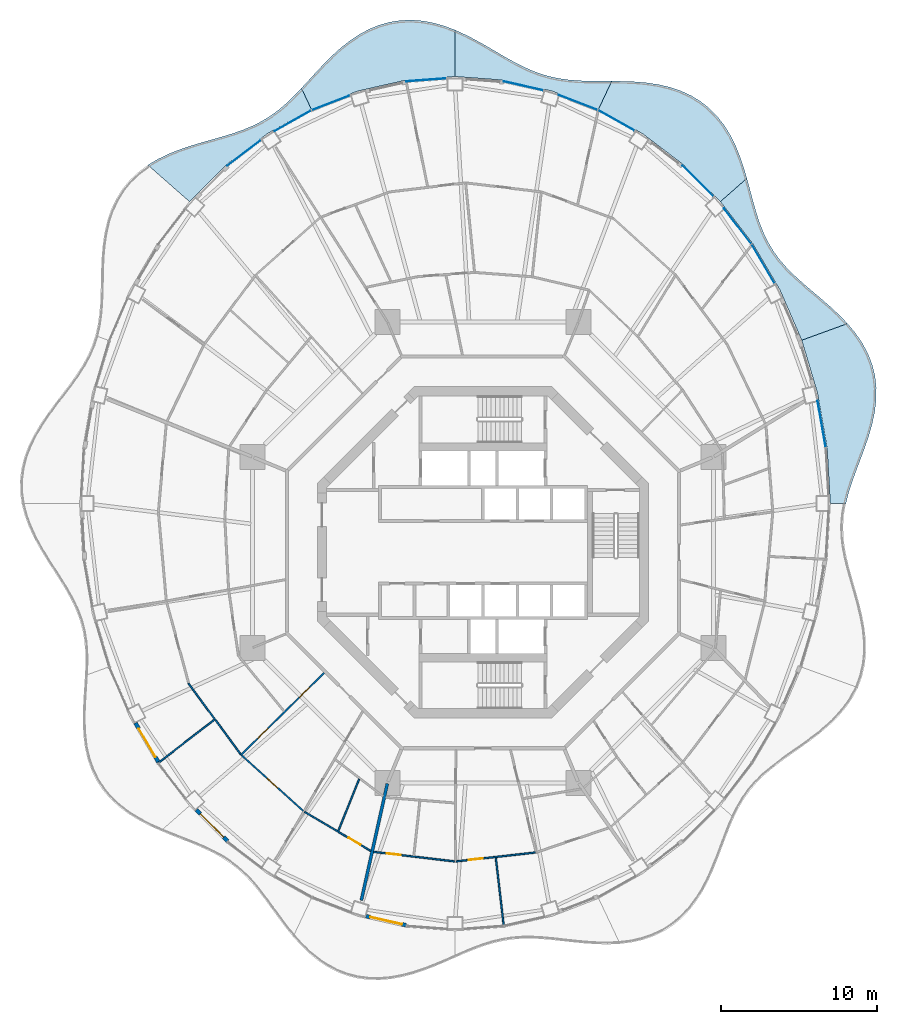
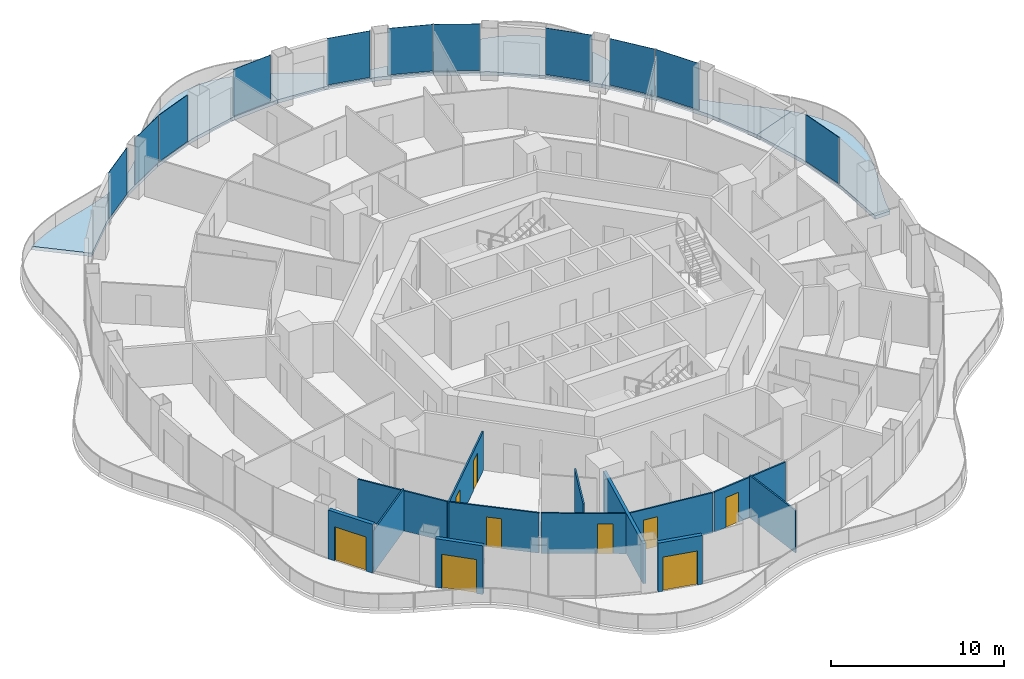
# One storey, part 9 of 18: 13 walls, 11 plates, 9 doors, 6 slabs, 9 openings, 11 elements without a shape of their own.
"""IFC4 building model written with IfcOpenShell, lengths in metres."""

import ifcopenshell
import ifcopenshell.guid

model = None  # the IFC model being written
_history = None  # IfcOwnerHistory: only IFC2X3 demands one
_inside = {}  # id of a spatial element -> (the spatial element, [elements in it])
_under = {}  # id of a project, library or spatial element -> (it, [spatial elements below it])
_declared = {}  # id of a project -> (the project, [libraries it declares])
_typed = {}  # id of a type object -> (the type object, [elements of that type])
_made_of = {}  # id of a material, layer set ... -> (it, [elements and type objects made of it])


def new_model(schema):
    """Start an empty IFC model of exactly this schema.

    Asked for "IFC4X3", IfcOpenShell would pick the latest addendum, in which some entities
    have other attributes; the version numbers below select the first issue.
    IFC2X3 requires an IfcOwnerHistory on every rooted entity: one is made here for all.
    """
    global model, _history
    if schema == "IFC4X3":
        model = ifcopenshell.file(schema_version=(4, 3, 0, 0))
    else:
        model = ifcopenshell.file(schema=schema)
    _inside.clear()
    _under.clear()
    _declared.clear()
    _typed.clear()
    _made_of.clear()
    _history = None
    if model.schema == "IFC2X3":
        org = make("IfcOrganization", Name="unknown")
        user = make(
            "IfcPersonAndOrganization",
            ThePerson=make("IfcPerson", FamilyName="unknown"),
            TheOrganization=org,
        )
        app = make(
            "IfcApplication",
            ApplicationDeveloper=org,
            Version="unknown",
            ApplicationFullName="unknown",
            ApplicationIdentifier="unknown",
        )
        _history = make(
            "IfcOwnerHistory",
            OwningUser=user,
            OwningApplication=app,
            ChangeAction="ADDED",
            CreationDate=0,
        )
    return model


def make(cls, **values):
    """One entity of the class cls with the attributes given. An attribute that is None is left unset."""
    return model.create_entity(
        cls, **{name: value for name, value in values.items() if value is not None}
    )


def rooted(cls, **values):
    """An entity with a GlobalId (a new one), such as an element, a storey or a relation."""
    return make(cls, GlobalId=ifcopenshell.guid.new(), OwnerHistory=_history, **values)


def si_unit(unit_type, name, prefix=None):
    """IfcSIUnit, for example si_unit("LENGTHUNIT", "METRE", prefix="MILLI")."""
    return make("IfcSIUnit", UnitType=unit_type, Prefix=prefix, Name=name)


def assignment(units):
    """IfcUnitAssignment: the units of a project."""
    return None if units is None else make("IfcUnitAssignment", Units=units)


def point(xyz):
    """IfcCartesianPoint."""
    return None if xyz is None else make("IfcCartesianPoint", Coordinates=xyz)


def direction(xyz):
    """IfcDirection."""
    return None if xyz is None else make("IfcDirection", DirectionRatios=xyz)


def frame(location, z_axis=None, x_axis=None):
    """IfcAxis2Placement3D, a coordinate frame: its origin and axes. An axis left out is left unset."""
    return make(
        "IfcAxis2Placement3D",
        Location=point(location),
        Axis=direction(z_axis),
        RefDirection=direction(x_axis),
    )


def frame_2d(location, x_axis=None):
    """IfcAxis2Placement2D, a coordinate frame in the plane: its origin and x axis."""
    return make(
        "IfcAxis2Placement2D", Location=point(location), RefDirection=direction(x_axis)
    )


def origin():
    """The frame at (0, 0, 0) with its axes left unset."""
    return frame((0.0, 0.0, 0.0))


def origin_2d():
    """The frame at (0, 0) in the plane with its x axis left unset."""
    return frame_2d((0.0, 0.0))


def place(relative_to, where):
    """IfcLocalPlacement: puts the frame where relative to a parent placement (None: the world)."""
    return make(
        "IfcLocalPlacement", PlacementRelTo=relative_to, RelativePlacement=where
    )


def context(
    kind, dimensions, precision=None, world=None, true_north=None, identifier=None
):
    """IfcGeometricRepresentationContext, for example the 3D "Model" context."""
    return make(
        "IfcGeometricRepresentationContext",
        ContextIdentifier=identifier,
        ContextType=kind,
        CoordinateSpaceDimension=dimensions,
        Precision=precision,
        WorldCoordinateSystem=world,
        TrueNorth=true_north,
    )


def subcontext(parent, identifier, kind, view, scale=None):
    """IfcGeometricRepresentationSubContext, for example "Body" below "Model"."""
    return make(
        "IfcGeometricRepresentationSubContext",
        ContextIdentifier=identifier,
        ContextType=kind,
        ParentContext=parent,
        TargetScale=scale,
        TargetView=view,
    )


def project(units=None, contexts=None):
    """IfcProject with its units and contexts."""
    return rooted(
        "IfcProject",
        Name="project",
        RepresentationContexts=contexts,
        UnitsInContext=assignment(units),
    )


def spatial(cls, under=None, at=None, **own):
    """A site, building, storey or space (cls), placed at a placement, below another one or the project."""
    s = rooted(cls, ObjectPlacement=at, **own)
    if under is not None:
        _under.setdefault(under.id(), (under, []))[1].append(s)
    return s


def polyline(points):
    """IfcPolyline through the points."""
    return make("IfcPolyline", Points=[point(p) for p in points])


def profile(cls, at=None, kind="AREA", **sizes):
    """A parametric profile (cls). Its sizes go by their IFC names, for example OverallWidth=200.0."""
    return make(cls, ProfileType=kind, Position=at, **sizes)


def rectangle(**sizes):
    """IfcRectangleProfileDef."""
    return profile("IfcRectangleProfileDef", **sizes)


def outline(outer, holes=None, kind="AREA"):
    """IfcArbitraryClosedProfileDef: a profile drawn as a closed curve; with holes, ...WithVoids."""
    if holes is None:
        return make("IfcArbitraryClosedProfileDef", ProfileType=kind, OuterCurve=outer)
    return make(
        "IfcArbitraryProfileDefWithVoids",
        ProfileType=kind,
        OuterCurve=outer,
        InnerCurves=holes,
    )


def extrude(swept, where, along, depth):
    """IfcExtrudedAreaSolid: the profile swept, set in the frame where, extruded along a direction by depth."""
    return make(
        "IfcExtrudedAreaSolid",
        SweptArea=swept,
        Position=where,
        ExtrudedDirection=direction(along),
        Depth=depth,
    )


def shape(context_of_items, identifier, shape_type, items):
    """IfcShapeRepresentation: the items that make up one representation, for example the "Body"."""
    return make(
        "IfcShapeRepresentation",
        ContextOfItems=context_of_items,
        RepresentationIdentifier=identifier,
        RepresentationType=shape_type,
        Items=items,
    )


def material(Name=None, Category=None):
    """IfcMaterial."""
    return make("IfcMaterial", Name=Name, Category=Category)


def layer(
    of_material, thickness, ventilated=None, Name=None, Category=None, Priority=None
):
    """IfcMaterialLayer: one layer of a wall or slab, of a material (None: an air gap)."""
    return make(
        "IfcMaterialLayer",
        Material=of_material,
        LayerThickness=thickness,
        IsVentilated=ventilated,
        Name=Name,
        Category=Category,
        Priority=Priority,
    )


def layer_set(layers, Name=None):
    """IfcMaterialLayerSet."""
    return make("IfcMaterialLayerSet", MaterialLayers=layers, LayerSetName=Name)


def made_of(thing, what):
    """Note that an element or type object is made of a material, layer set ...; save() writes the relation."""
    if what is not None:
        _made_of.setdefault(what.id(), (what, []))[1].append(thing)
    return thing


def type_object(cls, material=None, **own):
    """A type object (cls), such as IfcWallType, which elements share."""
    return made_of(rooted(cls, **own), material)


def element(
    cls,
    number,
    at=None,
    inside=None,
    cuts=None,
    type_object=None,
    material=None,
    context=None,
    identifier="Body",
    shape_type=None,
    held_by="IfcProductDefinitionShape",
    body=None,
    shapes=None,
    **own,
):
    """One element of the class cls, such as IfcWall. Its Tag is "e" and its number.

    at: its placement. inside: the storey or other place that contains it. cuts: it is an
    opening in that element (IfcRelVoidsElement). A single representation is given by context,
    identifier, shape_type and body (its items); several are given by shapes. held_by: the class
    of the entity that holds the representations. save() writes the other relations.
    """
    e = rooted(cls, Tag="e%d" % number, ObjectPlacement=at, **own)
    if body is not None:
        shapes = [shape(context, identifier, shape_type, body)]
    if shapes is not None:
        e.Representation = make(held_by, Representations=shapes)
    if inside is not None:
        _inside.setdefault(inside.id(), (inside, []))[1].append(e)
    if cuts is not None:
        rooted(
            "IfcRelVoidsElement", RelatingBuildingElement=cuts, RelatedOpeningElement=e
        )
    if type_object is not None:
        _typed.setdefault(type_object.id(), (type_object, []))[1].append(e)
    return made_of(e, material)


def fill(opening, filler):
    """IfcRelFillsElement: the door or window that sits in an opening."""
    return rooted(
        "IfcRelFillsElement",
        RelatingOpeningElement=opening,
        RelatedBuildingElement=filler,
    )


def aggregate(whole, parts):
    """IfcRelAggregates: a whole, such as a stair, and the parts it consists of."""
    return rooted("IfcRelAggregates", RelatingObject=whole, RelatedObjects=parts)


def save(model, path):
    """Write the relations noted so far, then the file.

    IfcRelAggregates (storeys below a building ...), IfcRelContainedInSpatialStructure (elements
    in a storey), IfcRelDefinesByType, IfcRelAssociatesMaterial and IfcRelDeclares: one each for
    every whole, place, type object, material and project.
    """
    for whole, parts in _under.values():
        aggregate(whole, parts)
    for where, things in _inside.values():
        rooted(
            "IfcRelContainedInSpatialStructure",
            RelatedElements=things,
            RelatingStructure=where,
        )
    for kind, things in _typed.values():
        rooted("IfcRelDefinesByType", RelatedObjects=things, RelatingType=kind)
    for what, things in _made_of.values():
        rooted("IfcRelAssociatesMaterial", RelatedObjects=things, RelatingMaterial=what)
    for by, libraries in _declared.values():
        rooted("IfcRelDeclares", RelatingContext=by, RelatedDefinitions=libraries)
    model.write(path)


model = new_model("IFC4")

# Units and contexts
model_context = context("Model", 3, precision=1e-05, world=origin(), true_north=direction((0.0, 1.0)))
body_context = subcontext(model_context, "Body", "Model", "MODEL_VIEW")
ifc_project = project(units=[si_unit("LENGTHUNIT", "METRE"), si_unit("AREAUNIT", "SQUARE_METRE"), si_unit("VOLUMEUNIT", "CUBIC_METRE"), si_unit("PLANEANGLEUNIT", "RADIAN"), si_unit("MASSUNIT", "GRAM", prefix="KILO")], contexts=[model_context])

# Site, building, storey
site_placement = place(None, origin())
site = spatial("IfcSite", under=ifc_project, at=site_placement, CompositionType="ELEMENT")
building_placement = place(site_placement, origin())
building = spatial("IfcBuilding", under=site, at=building_placement, Name="Nagisa Residences", CompositionType="ELEMENT")
storey_placement = place(building_placement, frame((0.0, 0.0, 230.699951171875)))
storey = spatial("IfcBuildingStorey", under=building, at=storey_placement, Name="L58", CompositionType="ELEMENT", Elevation=230.699951171875)

# Slabs
ifc_material_1 = material(Name="Concrete C40/50", Category="concrete")
ifc_layer_1 = layer(ifc_material_1, 0.25)
ifc_layer_set_1 = layer_set([ifc_layer_1], Name="BALCONY SLAB 250")
slab_type = type_object("IfcSlabType", Name="BALCONY SLAB 250", PredefinedType="FLOOR", material=ifc_layer_set_1)
slab_1_placement = place(storey_placement, frame((0.0, 0.0, -0.25)))
element("IfcSlab", 1, at=slab_1_placement, inside=storey, type_object=slab_type, Name="slab:L58:bal00", PredefinedType="FLOOR", context=body_context, shape_type="SweptSolid", body=[
    extrude(outline(polyline([(23.260498046875, 3.11767578125), (23.436767578125, 3.811279296875), (23.66162109375, 4.51513671875), (23.92138671875, 5.232177734375), (24.199462890625, 5.964111328125), (24.47705078125, 6.710693359375), (24.73486328125, 7.47021484375), (24.953857421875, 8.239501953125), (25.116455078125, 9.013916015625), (25.20751953125, 9.787353515625), (25.21533203125, 10.553466796875), (25.13134765625, 11.305419921875), (24.952392578125, 12.036865234375), (24.679443359375, 12.7421875), (24.31787109375, 13.4169921875), (23.876708984375, 14.05859375), (23.36962890625, 14.66650390625), (20.437744140625, 13.599365234375), (21.449951171875, 10.206787109375), (22.06396484375, 6.69287109375), (22.27001953125, 3.11767578125), (23.260498046875, 3.11767578125)])), origin(), (0.0, 0.0, 1.0), 0.25),
])
slab_2_placement = place(storey_placement, frame((0.0, 0.0, -0.25)))
element("IfcSlab", 2, at=slab_2_placement, inside=storey, type_object=slab_type, Name="slab:L58:bal01", PredefinedType="FLOOR", context=body_context, shape_type="SweptSolid", body=[
    extrude(outline(polyline([(23.36962890625, 14.66650390625), (22.829833984375, 15.22509765625), (22.25830078125, 15.75634765625), (21.672119140625, 16.265869140625), (21.087158203125, 16.76025390625), (20.51904296875, 17.2470703125), (19.98095703125, 17.735107421875), (19.483154296875, 18.232666015625), (19.03369140625, 18.748046875), (18.635986328125, 19.2890625), (18.29052734375, 19.86083984375), (17.993896484375, 20.467529296875), (17.7392578125, 21.110107421875), (17.51708984375, 21.787841796875), (17.315185546875, 22.49658203125), (17.120361328125, 23.2294921875), (16.918701171875, 23.97802734375), (15.219970703125, 22.4853515625), (17.2958984375, 19.791748046875), (19.045166015625, 16.812744140625), (20.437744140625, 13.599365234375), (23.36962890625, 14.66650390625)])), origin(), (0.0, 0.0, 1.0), 0.25),
])
slab_3_placement = place(storey_placement, frame((0.0, 0.0, -0.25)))
element("IfcSlab", 3, at=slab_3_placement, inside=storey, type_object=slab_type, Name="slab:L58:bal02", PredefinedType="FLOOR", context=body_context, shape_type="SweptSolid", body=[
    extrude(outline(polyline([(16.918701171875, 23.97802734375), (16.70654296875, 24.695556640625), (16.464111328125, 25.406494140625), (16.1806640625, 26.09912109375), (15.848876953125, 26.76171875), (15.462158203125, 27.38330078125), (15.017333984375, 27.95361328125), (14.513916015625, 28.46435546875), (13.95361328125, 28.908935546875), (13.3408203125, 29.283447265625), (12.681640625, 29.587158203125), (11.984375, 29.821533203125), (11.2578125, 29.99169921875), (10.51220703125, 30.10498046875), (9.757080078125, 30.171142578125), (9.001708984375, 30.202392578125), (8.25439453125, 30.21142578125), (7.4111328125, 28.4228515625), (10.235107421875, 26.838134765625), (12.852783203125, 24.84765625), (15.219970703125, 22.4853515625), (16.918701171875, 23.97802734375)])), origin(), (0.0, 0.0, 1.0), 0.25),
])
slab_4_placement = place(storey_placement, frame((0.0, 0.0, -0.25)))
element("IfcSlab", 4, at=slab_4_placement, inside=storey, type_object=slab_type, Name="slab:L58:bal03", PredefinedType="FLOOR", context=body_context, shape_type="SweptSolid", body=[
    extrude(outline(polyline([(8.25439453125, 30.21142578125), (7.547607421875, 30.21240234375), (6.85888671875, 30.21826171875), (6.1904296875, 30.240478515625), (5.543701171875, 30.289794921875), (4.9169921875, 30.374267578125), (4.30859375, 30.500732421875), (3.714111328125, 30.67236328125), (3.12890625, 30.89013671875), (2.5478515625, 31.151611328125), (1.965087890625, 31.451904296875), (1.375244140625, 31.783203125), (0.77392578125, 32.135009765625), (0.157470703125, 32.49560546875), (-0.4765625, 32.85107421875), (-1.12939453125, 33.18798828125), (-1.800048828125, 33.49169921875), (-1.800048828125, 30.5078125), (1.341796875, 30.2734375), (4.4296875, 29.574462890625), (7.4111328125, 28.4228515625), (8.25439453125, 30.21142578125)])), origin(), (0.0, 0.0, 1.0), 0.25),
])
slab_5_placement = place(storey_placement, frame((0.0, 0.0, -0.25)))
element("IfcSlab", 5, at=slab_5_placement, inside=storey, type_object=slab_type, Name="slab:L58:bal04", PredefinedType="FLOOR", context=body_context, shape_type="SweptSolid", body=[
    extrude(outline(polyline([(-1.800048828125, 33.49169921875), (-2.486328125, 33.7490234375), (-3.18505859375, 33.94775390625), (-3.891357421875, 34.078125), (-4.599365234375, 34.1318359375), (-5.30322265625, 34.1044921875), (-5.996826171875, 33.99365234375), (-6.673828125, 33.80078125), (-7.329833984375, 33.52978515625), (-7.9599609375, 33.187744140625), (-8.562255859375, 32.78369140625), (-9.13525390625, 32.329345703125), (-9.679443359375, 31.837158203125), (-10.197509765625, 31.32080078125), (-10.693359375, 30.79345703125), (-11.17236328125, 30.268798828125), (-11.640625, 29.75830078125), (-11.01123046875, 28.4228515625), (-8.02978515625, 29.574462890625), (-4.941650390625, 30.2734375), (-1.800048828125, 30.5078125), (-1.800048828125, 33.49169921875)])), origin(), (0.0, 0.0, 1.0), 0.25),
])
slab_6_placement = place(storey_placement, frame((0.0, 0.0, -0.25)))
element("IfcSlab", 6, at=slab_6_placement, inside=storey, type_object=slab_type, Name="slab:L58:bal05", PredefinedType="FLOOR", context=body_context, shape_type="SweptSolid", body=[
    extrude(outline(polyline([(-11.640625, 29.75830078125), (-12.123046875, 29.2548828125), (-12.6103515625, 28.787109375), (-13.110107421875, 28.361328125), (-13.629638671875, 27.98095703125), (-14.17529296875, 27.64599609375), (-14.750732421875, 27.353759765625), (-15.358154296875, 27.0986328125), (-15.99755859375, 26.87255859375), (-16.66552734375, 26.666015625), (-17.357421875, 26.4677734375), (-18.065673828125, 26.26611328125), (-18.781005859375, 26.04931640625), (-19.49267578125, 25.806396484375), (-20.189208984375, 25.527587890625), (-20.858642578125, 25.20458984375), (-21.48974609375, 24.83154296875), (-18.820068359375, 22.4853515625), (-16.452880859375, 24.84765625), (-13.8349609375, 26.838134765625), (-11.01123046875, 28.4228515625), (-11.640625, 29.75830078125)])), origin(), (0.0, 0.0, 1.0), 0.25),
])

# Curtain wall, plate
ifc_material_2 = material(Name="Concrete-coloured aluminium curtain wall system", Category="concrete")
ifc_layer_2 = layer(ifc_material_2, 0.159912109375)
ifc_layer_set_2 = layer_set([ifc_layer_2], Name="CW1 CURTAIN WALL")
curtain_wall_type = type_object("IfcCurtainWallType", Name="CW1 CURTAIN WALL", PredefinedType="NOTDEFINED", material=ifc_layer_set_2)
curtain_wall_1_placement = place(storey_placement, origin())
curtain_wall_1 = element("IfcCurtainWall", 7, at=curtain_wall_1_placement, inside=storey, type_object=curtain_wall_type, Name="cw:CW1:L58:01", PredefinedType="NOTDEFINED")
ifc_material_3 = material(Name="Clear laminated glass", Category="glass")
ifc_layer_3 = layer(ifc_material_3, 0.028076171875)
ifc_layer_set_3 = layer_set([ifc_layer_3], Name="CW1 GLASS PANEL")
plate_type = type_object("IfcPlateType", Name="CW1 GLASS PANEL", PredefinedType="CURTAIN_PANEL", material=ifc_layer_set_3)
plate_1_placement = place(storey_placement, frame((21.716064453125, 8.21923828125, 0.150146484375), z_axis=(0.0, 0.0, 1.0), x_axis=(-0.172190868898, 0.985063604377, 0.0)))
plate_1 = element("IfcPlate", 8, at=plate_1_placement, type_object=plate_type, Name="CW1 panel", PredefinedType="CURTAIN_PANEL", context=body_context, shape_type="SweptSolid", body=[
    extrude(rectangle(XDim=3.00732421875, YDim=0.028076171875, at=origin_2d()), origin(), (0.0, 0.0, 1.0), 3.2900390625),
])
aggregate(curtain_wall_1, [plate_1])

curtain_wall_2_placement = place(storey_placement, origin())
curtain_wall_2 = element("IfcCurtainWall", 9, at=curtain_wall_2_placement, inside=storey, type_object=curtain_wall_type, Name="cw:CW1:L58:04", PredefinedType="NOTDEFINED")
plate_2_placement = place(storey_placement, frame((17.9599609375, 18.503173828125, 0.150146484375), z_axis=(0.0, 0.0, 1.0), x_axis=(-0.506348567002, 0.862328898214, 0.0)))
plate_2 = element("IfcPlate", 10, at=plate_2_placement, type_object=plate_type, Name="CW1 panel", PredefinedType="CURTAIN_PANEL", context=body_context, shape_type="SweptSolid", body=[
    extrude(rectangle(XDim=2.89453125, YDim=0.028076171875, at=origin_2d()), origin(), (0.0, 0.0, 1.0), 3.2900390625),
])
aggregate(curtain_wall_2, [plate_2])

curtain_wall_3_placement = place(storey_placement, origin())
curtain_wall_3 = element("IfcCurtainWall", 11, at=curtain_wall_3_placement, inside=storey, type_object=curtain_wall_type, Name="cw:CW1:L58:05", PredefinedType="NOTDEFINED")
plate_3_placement = place(storey_placement, frame((16.328857421875, 20.91552734375, 0.150146484375), z_axis=(0.0, 0.0, 1.0), x_axis=(-0.610429828235, 0.792070340816, 0.0)))
plate_3 = element("IfcPlate", 12, at=plate_3_placement, type_object=plate_type, Name="CW1 panel", PredefinedType="CURTAIN_PANEL", context=body_context, shape_type="SweptSolid", body=[
    extrude(rectangle(XDim=2.8408203125, YDim=0.028076171875, at=origin_2d()), origin(), (0.0, 0.0, 1.0), 3.2900390625),
])
aggregate(curtain_wall_3, [plate_3])

curtain_wall_4_placement = place(storey_placement, origin())
curtain_wall_4 = element("IfcCurtainWall", 13, at=curtain_wall_4_placement, inside=storey, type_object=curtain_wall_type, Name="cw:CW1:L58:06", PredefinedType="NOTDEFINED")
plate_4_placement = place(storey_placement, frame((13.78173828125, 23.8076171875, 0.150146484375), z_axis=(0.0, 0.0, 1.0), x_axis=(-0.707835924016, 0.706376885714, 0.0)))
plate_4 = element("IfcPlate", 14, at=plate_4_placement, type_object=plate_type, Name="CW1 panel", PredefinedType="CURTAIN_PANEL", context=body_context, shape_type="SweptSolid", body=[
    extrude(rectangle(XDim=2.7841796875, YDim=0.028076171875, at=origin_2d()), origin(), (0.0, 0.0, 1.0), 3.2900390625),
])
aggregate(curtain_wall_4, [plate_4])

curtain_wall_5_placement = place(storey_placement, origin())
curtain_wall_5 = element("IfcCurtainWall", 15, at=curtain_wall_5_placement, inside=storey, type_object=curtain_wall_type, Name="cw:CW1:L58:08", PredefinedType="NOTDEFINED")
plate_5_placement = place(storey_placement, frame((8.539794921875, 27.69775390625, 0.150146484375), z_axis=(0.0, 0.0, 1.0), x_axis=(-0.872072377523, 0.489376918501, 0.0)))
plate_5 = element("IfcPlate", 16, at=plate_5_placement, type_object=plate_type, Name="CW1 panel", PredefinedType="CURTAIN_PANEL", context=body_context, shape_type="SweptSolid", body=[
    extrude(rectangle(XDim=2.677978515625, YDim=0.028076171875, at=origin_2d()), origin(), (0.0, 0.0, 1.0), 3.2900390625),
])
aggregate(curtain_wall_5, [plate_5])

curtain_wall_6_placement = place(storey_placement, origin())
curtain_wall_6 = element("IfcCurtainWall", 17, at=curtain_wall_6_placement, inside=storey, type_object=curtain_wall_type, Name="cw:CW1:L58:09", PredefinedType="NOTDEFINED")
plate_6_placement = place(storey_placement, frame((6.096923828125, 28.8447265625, 0.150146484375), z_axis=(0.0, 0.0, 1.0), x_axis=(-0.932825759707, 0.360327770268, 0.0)))
plate_6 = element("IfcPlate", 18, at=plate_6_placement, type_object=plate_type, Name="CW1 panel", PredefinedType="CURTAIN_PANEL", context=body_context, shape_type="SweptSolid", body=[
    extrude(rectangle(XDim=2.63623046875, YDim=0.028076171875, at=origin_2d()), origin(), (0.0, 0.0, 1.0), 3.2900390625),
])
aggregate(curtain_wall_6, [plate_6])

curtain_wall_7_placement = place(storey_placement, origin())
curtain_wall_7 = element("IfcCurtainWall", 19, at=curtain_wall_7_placement, inside=storey, type_object=curtain_wall_type, Name="cw:CW1:L58:10", PredefinedType="NOTDEFINED")
plate_7_placement = place(storey_placement, frame((2.594970703125, 29.90771484375, 0.150146484375), z_axis=(0.0, 0.0, 1.0), x_axis=(-0.975327274089, 0.2207639201, 0.0)))
plate_7 = element("IfcPlate", 20, at=plate_7_placement, type_object=plate_type, Name="CW1 panel", PredefinedType="CURTAIN_PANEL", context=body_context, shape_type="SweptSolid", body=[
    extrude(rectangle(XDim=2.606201171875, YDim=0.028076171875, at=origin_2d()), origin(), (0.0, 0.0, 1.0), 3.2900390625),
])
aggregate(curtain_wall_7, [plate_7])

curtain_wall_8_placement = place(storey_placement, origin())
curtain_wall_8 = element("IfcCurtainWall", 21, at=curtain_wall_8_placement, inside=storey, type_object=curtain_wall_type, Name="cw:CW1:L58:12", PredefinedType="NOTDEFINED")
plate_8_placement = place(storey_placement, frame((-3.64404296875, 30.2900390625, 0.150146484375), z_axis=(0.0, 0.0, 1.0), x_axis=(-0.997230168512, -0.074377355493, 0.0)))
plate_8 = element("IfcPlate", 22, at=plate_8_placement, type_object=plate_type, Name="CW1 panel", PredefinedType="CURTAIN_PANEL", context=body_context, shape_type="SweptSolid", body=[
    extrude(rectangle(XDim=2.590576171875, YDim=0.028076171875, at=origin_2d()), origin(), (0.0, 0.0, 1.0), 3.2900390625),
])
aggregate(curtain_wall_8, [plate_8])

curtain_wall_9_placement = place(storey_placement, origin())
curtain_wall_9 = element("IfcCurtainWall", 23, at=curtain_wall_9_placement, inside=storey, type_object=curtain_wall_type, Name="cw:CW1:L58:14", PredefinedType="NOTDEFINED")
plate_9_placement = place(storey_placement, frame((-9.7529296875, 28.822998046875, 0.150146484375), z_axis=(0.0, 0.0, 1.0), x_axis=(-0.932825759707, -0.360327770268, 0.0)))
plate_9 = element("IfcPlate", 24, at=plate_9_placement, type_object=plate_type, Name="CW1 panel", PredefinedType="CURTAIN_PANEL", context=body_context, shape_type="SweptSolid", body=[
    extrude(rectangle(XDim=2.63623046875, YDim=0.028076171875, at=origin_2d()), origin(), (0.0, 0.0, 1.0), 3.2900390625),
])
aggregate(curtain_wall_9, [plate_9])

curtain_wall_10_placement = place(storey_placement, origin())
curtain_wall_10 = element("IfcCurtainWall", 25, at=curtain_wall_10_placement, inside=storey, type_object=curtain_wall_type, Name="cw:CW1:L58:15", PredefinedType="NOTDEFINED")
plate_10_placement = place(storey_placement, frame((-12.192138671875, 27.66845703125, 0.150146484375), z_axis=(0.0, 0.0, 1.0), x_axis=(-0.872072377523, -0.489376918501, 0.0)))
plate_10 = element("IfcPlate", 26, at=plate_10_placement, type_object=plate_type, Name="CW1 panel", PredefinedType="CURTAIN_PANEL", context=body_context, shape_type="SweptSolid", body=[
    extrude(rectangle(XDim=2.677978515625, YDim=0.028076171875, at=origin_2d()), origin(), (0.0, 0.0, 1.0), 3.2900390625),
])
aggregate(curtain_wall_10, [plate_10])

curtain_wall_11_placement = place(storey_placement, origin())
curtain_wall_11 = element("IfcCurtainWall", 27, at=curtain_wall_11_placement, inside=storey, type_object=curtain_wall_type, Name="cw:CW1:L58:16", PredefinedType="NOTDEFINED")
plate_11_placement = place(storey_placement, frame((-15.318359375, 25.609619140625, 0.150146484375), z_axis=(0.0, 0.0, 1.0), x_axis=(-0.79603132756, -0.605255421737, 0.0)))
plate_11 = element("IfcPlate", 28, at=plate_11_placement, type_object=plate_type, Name="CW1 panel", PredefinedType="CURTAIN_PANEL", context=body_context, shape_type="SweptSolid", body=[
    extrude(rectangle(XDim=2.728759765625, YDim=0.028076171875, at=origin_2d()), origin(), (0.0, 0.0, 1.0), 3.2900390625),
])
aggregate(curtain_wall_11, [plate_11])

# Walls
ifc_material_4 = material(Name="Gypsum board on steel studs", Category="steel")
ifc_layer_4 = layer(ifc_material_4, 0.199951171875)
ifc_layer_set_4 = layer_set([ifc_layer_4], Name="Apartment compartment wall EI60 200")
wall_type_1 = type_object("IfcWallType", Name="Apartment compartment wall EI60 200", PredefinedType="PARTITIONING", material=ifc_layer_set_4)
wall_1_placement = place(storey_placement, frame((-6.1337890625, -14.830810546875, 0.0), z_axis=(0.0, 0.0, 1.0), x_axis=(-0.217500172543, -0.976060282433, 0.0)))
element("IfcWall", 29, at=wall_1_placement, inside=storey, type_object=wall_type_1, Name="wall:L58:u05", PredefinedType="PARTITIONING", context=body_context, shape_type="SweptSolid", body=[
    extrude(rectangle(XDim=7.667724609375, YDim=0.199951171875, at=frame_2d((3.833984375, 0.0))), origin(), (0.0, 0.0, 1.0), 2.837158203125),
])
ifc_material_5 = material(Name="Gypsum board on steel studs", Category="steel")
ifc_layer_5 = layer(ifc_material_5, 0.10009765625)
ifc_layer_set_5 = layer_set([ifc_layer_5], Name="Apartment partition 100")
wall_type_2 = type_object("IfcWallType", Name="Apartment partition 100", PredefinedType="PARTITIONING", material=ifc_layer_set_5)
wall_2_placement = place(storey_placement, frame((-18.893310546875, -8.394775390625, 0.0), z_axis=(0.0, 0.0, 1.0), x_axis=(0.593212299255, -0.80504606577, 0.0)))
element("IfcWall", 30, at=wall_2_placement, inside=storey, type_object=wall_type_2, Name="wall:L58:u67", PredefinedType="PARTITIONING", context=body_context, shape_type="SweptSolid", body=[
    extrude(rectangle(XDim=5.65185546875, YDim=0.10009765625, at=frame_2d((2.825927734375, 0.0))), origin(), (0.0, 0.0, 1.0), 2.837158203125),
])
wall_3_placement = place(storey_placement, frame((-17.226806640625, -10.740478515625, 0.0), z_axis=(0.0, 0.0, 1.0), x_axis=(-0.793312316411, -0.60881488864, 0.0)))
element("IfcWall", 31, at=wall_3_placement, inside=storey, type_object=wall_type_2, Name="wall:L58:u68", PredefinedType="PARTITIONING", context=body_context, shape_type="SweptSolid", body=[
    extrude(rectangle(XDim=4.585205078125, YDim=0.10009765625, at=frame_2d((2.29248046875, 0.0))), origin(), (0.0, 0.0, 1.0), 2.983154296875),
])

# Wall, openings, doors
wall_4_placement = place(storey_placement, frame((-10.1826171875, -7.728271484375, 0.0), z_axis=(0.0, 0.0, 1.0), x_axis=(-0.711869910979, -0.702311348223, 0.0)))
wall_4 = element("IfcWall", 32, at=wall_4_placement, inside=storey, type_object=wall_type_2, Name="wall:L58:u69", PredefinedType="PARTITIONING", context=body_context, shape_type="SweptSolid", body=[
    extrude(rectangle(XDim=7.53466796875, YDim=0.10009765625, at=frame_2d((3.767333984375, 0.0))), origin(), (0.0, 0.0, 1.0), 2.761962890625),
])
opening_1_placement = place(wall_4_placement, frame((1.335205078125, 0.0, 0.0)))
opening_1 = element("IfcOpeningElement", 33, at=opening_1_placement, cuts=wall_4, Name="Opening L58-U02", PredefinedType="OPENING", context=body_context, shape_type="SweptSolid", body=[
    extrude(rectangle(XDim=0.89990234375, YDim=2.10009765625, at=frame_2d((0.449951171875, 1.050048828125))), frame((0.0, 0.06005859375, 0.0), z_axis=(0.0, -1.0, 0.0), x_axis=(1.0, 0.0, 0.0)), (0.0, 0.0, 1.0), 0.1201171875),
])
opening_2_placement = place(wall_4_placement, frame((5.077392578125, 0.0, 0.0)))
opening_2 = element("IfcOpeningElement", 34, at=opening_2_placement, cuts=wall_4, Name="Opening L58-U04", PredefinedType="OPENING", context=body_context, shape_type="SweptSolid", body=[
    extrude(rectangle(XDim=0.89990234375, YDim=2.10009765625, at=frame_2d((0.449951171875, 1.050048828125))), frame((0.0, 0.06005859375, 0.0), z_axis=(0.0, -1.0, 0.0), x_axis=(1.0, 0.0, 0.0)), (0.0, 0.0, 1.0), 0.1201171875),
])
ifc_material_6 = material(Name="Timber door set", Category="wood")
door_type_1 = type_object("IfcDoorType", Name="Apartment door 900x2100", OperationType="NOTDEFINED", PredefinedType="DOOR", material=ifc_material_6)
door_1_placement = place(opening_1_placement, frame((0.89990234375, 0.0, 0.0), x_axis=(-1.0, 0.0, 0.0)))
door_1 = element("IfcDoor", 35, at=door_1_placement, inside=storey, type_object=door_type_1, Name="Door to store, Apartment 58A", OperationType="SINGLE_SWING_LEFT", OverallHeight=2.10009765625, OverallWidth=0.89990234375, PredefinedType="DOOR", context=body_context, shape_type="SweptSolid", body=[
    extrude(rectangle(XDim=0.89990234375, YDim=2.10009765625, at=frame_2d((0.449951171875, 1.050048828125))), frame((0.0, 0.02490234375, 0.0), z_axis=(0.0, -1.0, 0.0), x_axis=(1.0, 0.0, 0.0)), (0.0, 0.0, 1.0), 0.050048828125),
])
fill(opening_1, door_1)
door_2_placement = place(opening_2_placement, frame((0.89990234375, 0.0, 0.0), x_axis=(-1.0, 0.0, 0.0)))
door_2 = element("IfcDoor", 36, at=door_2_placement, inside=storey, type_object=door_type_1, Name="Door to study, Apartment 58A", OperationType="SINGLE_SWING_LEFT", OverallHeight=2.10009765625, OverallWidth=0.89990234375, PredefinedType="DOOR", context=body_context, shape_type="SweptSolid", body=[
    extrude(rectangle(XDim=0.89990234375, YDim=2.10009765625, at=frame_2d((0.449951171875, 1.050048828125))), frame((0.0, 0.02490234375, 0.0), z_axis=(0.0, -1.0, 0.0), x_axis=(1.0, 0.0, 0.0)), (0.0, 0.0, 1.0), 0.050048828125),
])
fill(opening_2, door_2)

# Wall, opening, door
wall_5_placement = place(storey_placement, frame((-15.4736328125, -13.0185546875, 0.0), z_axis=(0.0, 0.0, 1.0), x_axis=(0.742348572616, -0.670013878017, 0.0)))
wall_5 = element("IfcWall", 37, at=wall_5_placement, inside=storey, type_object=wall_type_2, Name="wall:L58:u70", PredefinedType="PARTITIONING", context=body_context, shape_type="SweptSolid", body=[
    extrude(rectangle(XDim=5.3193359375, YDim=0.10009765625, at=frame_2d((2.65966796875, 0.0))), origin(), (0.0, 0.0, 1.0), 2.837158203125),
])
opening_3_placement = place(wall_5_placement, frame((2.209716796875, 0.0, 0.0)))
opening_3 = element("IfcOpeningElement", 38, at=opening_3_placement, cuts=wall_5, Name="Opening L58-U07", PredefinedType="OPENING", context=body_context, shape_type="SweptSolid", body=[
    extrude(rectangle(XDim=0.89990234375, YDim=2.10009765625, at=frame_2d((0.449951171875, 1.050048828125))), frame((0.0, 0.06005859375, 0.0), z_axis=(0.0, -1.0, 0.0), x_axis=(1.0, 0.0, 0.0)), (0.0, 0.0, 1.0), 0.1201171875),
])
door_3_placement = place(opening_3_placement, frame((0.89990234375, 0.0, 0.0), x_axis=(-1.0, 0.0, 0.0)))
door_3 = element("IfcDoor", 39, at=door_3_placement, inside=storey, type_object=door_type_1, Name="Door to family room, Apartment 58A", OperationType="SINGLE_SWING_RIGHT", OverallHeight=2.10009765625, OverallWidth=0.89990234375, PredefinedType="DOOR", context=body_context, shape_type="SweptSolid", body=[
    extrude(rectangle(XDim=0.89990234375, YDim=2.10009765625, at=frame_2d((0.449951171875, 1.050048828125))), frame((0.0, 0.02490234375, 0.0), z_axis=(0.0, -1.0, 0.0), x_axis=(1.0, 0.0, 0.0)), (0.0, 0.0, 1.0), 0.050048828125),
])
fill(opening_3, door_3)

wall_6_placement = place(storey_placement, frame((-11.444580078125, -16.641357421875, 0.0), z_axis=(0.0, 0.0, 1.0), x_axis=(0.861568986754, -0.507640503766, 0.0)))
wall_6 = element("IfcWall", 40, at=wall_6_placement, inside=storey, type_object=wall_type_2, Name="wall:L58:u73", PredefinedType="PARTITIONING", context=body_context, shape_type="SweptSolid", body=[
    extrude(rectangle(XDim=4.934814453125, YDim=0.10009765625, at=frame_2d((2.46728515625, 0.0))), origin(), (0.0, 0.0, 1.0), 2.837158203125),
])
opening_4_placement = place(wall_6_placement, frame((3.263671875, 0.0, 0.0)))
opening_4 = element("IfcOpeningElement", 41, at=opening_4_placement, cuts=wall_6, Name="Opening L58-U11", PredefinedType="OPENING", context=body_context, shape_type="SweptSolid", body=[
    extrude(rectangle(XDim=0.89990234375, YDim=2.10009765625, at=frame_2d((0.449951171875, 1.050048828125))), frame((0.0, 0.06005859375, 0.0), z_axis=(0.0, -1.0, 0.0), x_axis=(1.0, 0.0, 0.0)), (0.0, 0.0, 1.0), 0.1201171875),
])
door_4_placement = place(opening_4_placement, origin())
door_4 = element("IfcDoor", 42, at=door_4_placement, inside=storey, type_object=door_type_1, Name="Door to en-suite bathroom, Apartment 58A", OperationType="SINGLE_SWING_LEFT", OverallHeight=2.10009765625, OverallWidth=0.89990234375, PredefinedType="DOOR", context=body_context, shape_type="SweptSolid", body=[
    extrude(rectangle(XDim=0.89990234375, YDim=2.10009765625, at=frame_2d((0.449951171875, 1.050048828125))), frame((0.0, 0.02490234375, 0.0), z_axis=(0.0, -1.0, 0.0), x_axis=(1.0, 0.0, 0.0)), (0.0, 0.0, 1.0), 0.050048828125),
])
fill(opening_4, door_4)

# Wall
wall_7_placement = place(storey_placement, frame((-7.93896484375, -14.530517578125, 0.0), z_axis=(0.0, 0.0, 1.0), x_axis=(-0.373254758443, -0.927728885666, 0.0)))
element("IfcWall", 43, at=wall_7_placement, inside=storey, type_object=wall_type_2, Name="wall:L58:u74", PredefinedType="PARTITIONING", context=body_context, shape_type="SweptSolid", body=[
    extrude(rectangle(XDim=3.5888671875, YDim=0.10009765625, at=frame_2d((1.79443359375, 0.0))), origin(), (0.0, 0.0, 1.0), 3.43994140625),
])

# Wall, opening, door
wall_8_placement = place(storey_placement, frame((-7.007568359375, -19.208984375, 0.0), z_axis=(0.0, 0.0, 1.0), x_axis=(0.993174535364, -0.116637653885, 0.0)))
wall_8 = element("IfcWall", 44, at=wall_8_placement, inside=storey, type_object=wall_type_2, Name="wall:L58:u76", PredefinedType="PARTITIONING", context=body_context, shape_type="SweptSolid", body=[
    extrude(rectangle(XDim=5.21826171875, YDim=0.10009765625, at=frame_2d((2.609130859375, 0.0))), origin(), (0.0, 0.0, 1.0), 2.837158203125),
])
opening_5_placement = place(wall_8_placement, frame((0.842041015625, 0.0, 0.0)))
opening_5 = element("IfcOpeningElement", 45, at=opening_5_placement, cuts=wall_8, Name="Opening L58-U21", PredefinedType="OPENING", context=body_context, shape_type="SweptSolid", body=[
    extrude(rectangle(XDim=0.89990234375, YDim=2.10009765625, at=frame_2d((0.449951171875, 1.050048828125))), frame((0.0, 0.06005859375, 0.0), z_axis=(0.0, -1.0, 0.0), x_axis=(1.0, 0.0, 0.0)), (0.0, 0.0, 1.0), 0.1201171875),
])
door_5_placement = place(opening_5_placement, origin())
door_5 = element("IfcDoor", 46, at=door_5_placement, inside=storey, type_object=door_type_1, Name="Door to en-suite bathroom, Apartment 58B", OperationType="SINGLE_SWING_LEFT", OverallHeight=2.10009765625, OverallWidth=0.89990234375, PredefinedType="DOOR", context=body_context, shape_type="SweptSolid", body=[
    extrude(rectangle(XDim=0.89990234375, YDim=2.10009765625, at=frame_2d((0.449951171875, 1.050048828125))), frame((0.0, 0.02490234375, 0.0), z_axis=(0.0, -1.0, 0.0), x_axis=(1.0, 0.0, 0.0)), (0.0, 0.0, 1.0), 0.050048828125),
])
fill(opening_5, door_5)

wall_9_placement = place(storey_placement, frame((-1.7255859375, -19.81787109375, 0.0), z_axis=(0.0, 0.0, 1.0), x_axis=(0.99381893047, 0.111013212902, 0.0)))
wall_9 = element("IfcWall", 47, at=wall_9_placement, inside=storey, type_object=wall_type_2, Name="wall:L58:u79", PredefinedType="PARTITIONING", context=body_context, shape_type="SweptSolid", body=[
    extrude(rectangle(XDim=5.113037109375, YDim=0.10009765625, at=frame_2d((2.556640625, 0.0))), origin(), (0.0, 0.0, 1.0), 2.837158203125),
])
opening_6_placement = place(wall_9_placement, frame((0.828369140625, 0.0, 0.0)))
opening_6 = element("IfcOpeningElement", 48, at=opening_6_placement, cuts=wall_9, Name="Opening L58-U19", PredefinedType="OPENING", context=body_context, shape_type="SweptSolid", body=[
    extrude(rectangle(XDim=0.89990234375, YDim=2.10009765625, at=frame_2d((0.449951171875, 1.050048828125))), frame((0.0, 0.06005859375, 0.0), z_axis=(0.0, -1.0, 0.0), x_axis=(1.0, 0.0, 0.0)), (0.0, 0.0, 1.0), 0.1201171875),
])
door_6_placement = place(opening_6_placement, frame((0.89990234375, 0.0, 0.0), x_axis=(-1.0, 0.0, 0.0)))
door_6 = element("IfcDoor", 49, at=door_6_placement, inside=storey, type_object=door_type_1, Name="Door to bedroom, Apartment 58B", OperationType="SINGLE_SWING_RIGHT", OverallHeight=2.10009765625, OverallWidth=0.89990234375, PredefinedType="DOOR", context=body_context, shape_type="SweptSolid", body=[
    extrude(rectangle(XDim=0.89990234375, YDim=2.10009765625, at=frame_2d((0.449951171875, 1.050048828125))), frame((0.0, 0.02490234375, 0.0), z_axis=(0.0, -1.0, 0.0), x_axis=(1.0, 0.0, 0.0)), (0.0, 0.0, 1.0), 0.050048828125),
])
fill(opening_6, door_6)

# Wall
wall_10_placement = place(storey_placement, frame((0.821044921875, -19.583740234375, 0.0), z_axis=(0.0, 0.0, 1.0), x_axis=(0.116120946841, -0.993235080786, 0.0)))
element("IfcWall", 50, at=wall_10_placement, inside=storey, type_object=wall_type_2, Name="wall:L58:u80", PredefinedType="PARTITIONING", context=body_context, shape_type="SweptSolid", body=[
    extrude(rectangle(XDim=4.444580078125, YDim=0.10009765625, at=frame_2d((2.22216796875, 0.0))), origin(), (0.0, 0.0, 1.0), 2.983154296875),
])

# Wall, opening, door
ifc_material_7 = material(Name="Precast concrete C40/50", Category="concrete")
ifc_layer_6 = layer(ifc_material_7, 0.25)
ifc_layer_set_6 = layer_set([ifc_layer_6], Name="BALCONY DOOR WALL 250")
wall_type_3 = type_object("IfcWallType", Name="BALCONY DOOR WALL 250", PredefinedType="SOLIDWALL", material=ifc_layer_set_6)
wall_11_placement = place(storey_placement, frame((-20.788330078125, -13.492919921875, 0.0), z_axis=(0.0, 0.0, 1.0), x_axis=(-0.506294090973, 0.862360883532, 0.0)))
wall_11 = element("IfcWall", 51, at=wall_11_placement, inside=storey, type_object=wall_type_3, Name="wall:L58:bay28", PredefinedType="SOLIDWALL", context=body_context, shape_type="SweptSolid", body=[
    extrude(rectangle(XDim=2.95458984375, YDim=0.25, at=frame_2d((1.477294921875, 0.0))), origin(), (0.0, 0.0, 1.0), 3.43994140625),
])
opening_7_placement = place(wall_11_placement, frame((0.42724609375, 0.0, 0.0)))
opening_7 = element("IfcOpeningElement", 52, at=opening_7_placement, cuts=wall_11, Name="Opening BD-L58-10", PredefinedType="OPENING", context=body_context, shape_type="SweptSolid", body=[
    extrude(rectangle(XDim=2.10009765625, YDim=2.39990234375, at=frame_2d((1.050048828125, 1.199951171875))), frame((0.0, 0.135009765625, 0.0), z_axis=(0.0, -1.0, 0.0), x_axis=(1.0, 0.0, 0.0)), (0.0, 0.0, 1.0), 0.27001953125),
])
ifc_material_8 = material(Name="Aluminium and clear glass", Category="aluminium")
door_type_2 = type_object("IfcDoorType", Name="BALCONY SLIDING DOOR 2100x2400", OperationType="SLIDING_TO_LEFT", PredefinedType="DOOR", material=ifc_material_8)
door_7_placement = place(opening_7_placement, origin())
door_7 = element("IfcDoor", 53, at=door_7_placement, inside=storey, type_object=door_type_2, Name="door:L58:bay28", OperationType="SLIDING_TO_LEFT", OverallHeight=2.39990234375, OverallWidth=2.10009765625, PredefinedType="DOOR", context=body_context, shape_type="SweptSolid", body=[
    extrude(rectangle(XDim=2.10009765625, YDim=2.39990234375, at=frame_2d((1.050048828125, 1.199951171875))), frame((0.0, 0.02490234375, 0.0), z_axis=(0.0, -1.0, 0.0), x_axis=(1.0, 0.0, 0.0)), (0.0, 0.0, 1.0), 0.050048828125),
])
fill(opening_7, door_7)

wall_12_placement = place(storey_placement, frame((-16.364501953125, -18.523681640625, 0.0), z_axis=(0.0, 0.0, 1.0), x_axis=(-0.707878871612, 0.706333846793, 0.0)))
wall_12 = element("IfcWall", 54, at=wall_12_placement, inside=storey, type_object=wall_type_3, Name="wall:L58:bay30", PredefinedType="SOLIDWALL", context=body_context, shape_type="SweptSolid", body=[
    extrude(rectangle(XDim=2.84423828125, YDim=0.25, at=frame_2d((1.422119140625, 0.0))), origin(), (0.0, 0.0, 1.0), 3.43994140625),
])
opening_8_placement = place(wall_12_placement, frame((0.3720703125, 0.0, 0.0)))
opening_8 = element("IfcOpeningElement", 55, at=opening_8_placement, cuts=wall_12, Name="Opening BD-L58-11", PredefinedType="OPENING", context=body_context, shape_type="SweptSolid", body=[
    extrude(rectangle(XDim=2.10009765625, YDim=2.39990234375, at=frame_2d((1.050048828125, 1.199951171875))), frame((0.0, 0.135009765625, 0.0), z_axis=(0.0, -1.0, 0.0), x_axis=(1.0, 0.0, 0.0)), (0.0, 0.0, 1.0), 0.27001953125),
])
door_8_placement = place(opening_8_placement, origin())
door_8 = element("IfcDoor", 56, at=door_8_placement, inside=storey, type_object=door_type_2, Name="door:L58:bay30", OperationType="SLIDING_TO_LEFT", OverallHeight=2.39990234375, OverallWidth=2.10009765625, PredefinedType="DOOR", context=body_context, shape_type="SweptSolid", body=[
    extrude(rectangle(XDim=2.10009765625, YDim=2.39990234375, at=frame_2d((1.050048828125, 1.199951171875))), frame((0.0, 0.02490234375, 0.0), z_axis=(0.0, -1.0, 0.0), x_axis=(1.0, 0.0, 0.0)), (0.0, 0.0, 1.0), 0.050048828125),
])
fill(opening_8, door_8)

wall_13_placement = place(storey_placement, frame((-4.9140625, -23.916015625, 0.0), z_axis=(0.0, 0.0, 1.0), x_axis=(-0.975324089124, 0.220777990694, 0.0)))
wall_13 = element("IfcWall", 57, at=wall_13_placement, inside=storey, type_object=wall_type_3, Name="wall:L58:bay34", PredefinedType="SOLIDWALL", context=body_context, shape_type="SweptSolid", body=[
    extrude(rectangle(XDim=2.666015625, YDim=0.25, at=frame_2d((1.3330078125, 0.0))), origin(), (0.0, 0.0, 1.0), 3.43994140625),
])
opening_9_placement = place(wall_13_placement, frame((0.282958984375, 0.0, 0.0)))
opening_9 = element("IfcOpeningElement", 58, at=opening_9_placement, cuts=wall_13, Name="Opening BD-L58-12", PredefinedType="OPENING", context=body_context, shape_type="SweptSolid", body=[
    extrude(rectangle(XDim=2.10009765625, YDim=2.39990234375, at=frame_2d((1.050048828125, 1.199951171875))), frame((0.0, 0.135009765625, 0.0), z_axis=(0.0, -1.0, 0.0), x_axis=(1.0, 0.0, 0.0)), (0.0, 0.0, 1.0), 0.27001953125),
])
door_9_placement = place(opening_9_placement, origin())
door_9 = element("IfcDoor", 59, at=door_9_placement, inside=storey, type_object=door_type_2, Name="door:L58:bay34", OperationType="SLIDING_TO_LEFT", OverallHeight=2.39990234375, OverallWidth=2.10009765625, PredefinedType="DOOR", context=body_context, shape_type="SweptSolid", body=[
    extrude(rectangle(XDim=2.10009765625, YDim=2.39990234375, at=frame_2d((1.050048828125, 1.199951171875))), frame((0.0, 0.02490234375, 0.0), z_axis=(0.0, -1.0, 0.0), x_axis=(1.0, 0.0, 0.0)), (0.0, 0.0, 1.0), 0.050048828125),
])
fill(opening_9, door_9)

save(model, "model.ifc")
